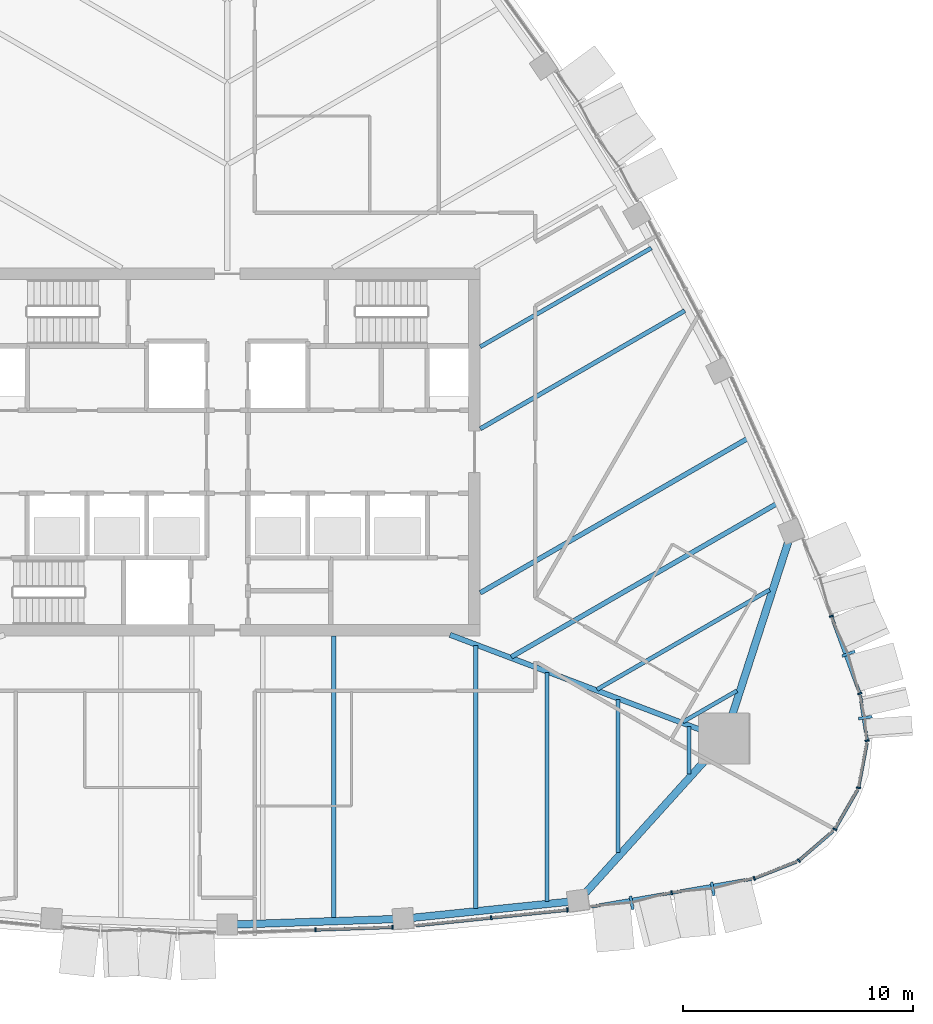
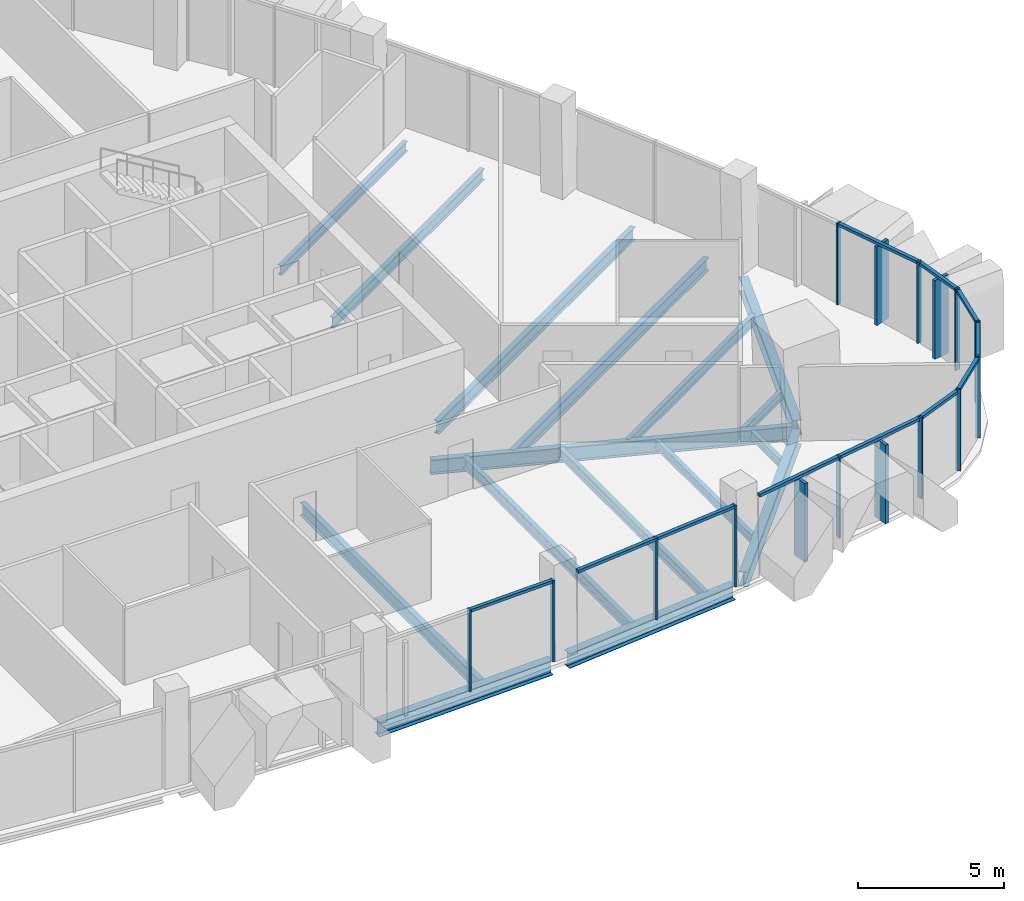
# One storey, part 4 of 18: 27 members, 16 beams, 9 elements without a shape of their own.
"""IFC4 building model written with IfcOpenShell, lengths in metres."""

from ifc_helpers import new_model, si_unit, direction, frame, origin, origin_2d, place, context, subcontext, project, spatial, rectangle, i_section, extrude, material, layer, layer_set, material_profile, profile_set, type_object, element, aggregate, save


model = new_model("IFC4")

# Units and contexts
model_context = context("Model", 3, precision=1e-05, world=origin(), true_north=direction((0.0, 1.0)))
body_context = subcontext(model_context, "Body", "Model", "MODEL_VIEW")
ifc_project = project(units=[si_unit("LENGTHUNIT", "METRE"), si_unit("AREAUNIT", "SQUARE_METRE"), si_unit("VOLUMEUNIT", "CUBIC_METRE"), si_unit("PLANEANGLEUNIT", "RADIAN"), si_unit("MASSUNIT", "GRAM", prefix="KILO")], contexts=[model_context])

# Site, building, storey
site_placement = place(None, origin())
site = spatial("IfcSite", under=ifc_project, at=site_placement, CompositionType="ELEMENT")
building_placement = place(site_placement, origin())
building = spatial("IfcBuilding", under=site, at=building_placement, Name="Sierra Prisma Convention Tower", CompositionType="ELEMENT")
storey_placement = place(building_placement, frame((0.0, 0.0, 255.0)))
storey = spatial("IfcBuildingStorey", under=building, at=storey_placement, Name="L57", CompositionType="ELEMENT", Elevation=255.0)

# Curtain wall, members
ifc_material_1 = material(Name="Aluminium and glass curtain wall", Category="aluminium")
ifc_layer_1 = layer(ifc_material_1, 0.179931640625)
ifc_layer_set_1 = layer_set([ifc_layer_1], Name="CW-2 Faceted crystal curtain wall")
curtain_wall_type_1 = type_object("IfcCurtainWallType", Name="CW-2 Faceted crystal curtain wall", PredefinedType="NOTDEFINED", material=ifc_layer_set_1)
curtain_wall_1_placement = place(storey_placement, origin())
curtain_wall_1 = element("IfcCurtainWall", 1, at=curtain_wall_1_placement, inside=storey, type_object=curtain_wall_type_1, Name="CW-2 S6 L57", PredefinedType="NOTDEFINED")
ifc_material_2 = material(Name="Aluminium 6063-T6 bronze anodised", Category="aluminium")
ifc_material_profile_1 = material_profile(ifc_material_2, rectangle(XDim=0.1201171875, YDim=0.60009765625, at=origin_2d()), Name="ALU RIDGE BLADE 120x600")
ifc_profile_set_1 = profile_set([ifc_material_profile_1], Name="Aluminium 6063-T6 bronze anodised")
member_type_1 = type_object("IfcMemberType", Name="CW hip bronze", PredefinedType="MULLION", material=ifc_profile_set_1)
member_1_placement = place(storey_placement, frame((17.58447265625, -19.617431640625, 0.0), z_axis=(0.0, 0.0, 1.0), x_axis=(0.985403487239, 0.170235035574, 0.0)))
member_1 = element("IfcMember", 2, at=member_1_placement, type_object=member_type_1, Name="CW-2 ridge S6.1", PredefinedType="MULLION", context=body_context, shape_type="SweptSolid", body=[
    extrude(rectangle(XDim=0.1201171875, YDim=0.60009765625, at=origin_2d()), origin(), (0.0, 0.0, 1.0), 3.280029296875),
])
member_2_placement = place(storey_placement, frame((21.11328125, -19.0078125, 0.0), z_axis=(0.0, 0.0, 1.0), x_axis=(0.985403487239, 0.170235035574, 0.0)))
member_2 = element("IfcMember", 3, at=member_2_placement, type_object=member_type_1, Name="CW-2 ridge S6.2", PredefinedType="MULLION", context=body_context, shape_type="SweptSolid", body=[
    extrude(rectangle(XDim=0.1201171875, YDim=0.60009765625, at=origin_2d()), origin(), (0.0, 0.0, 1.0), 3.280029296875),
])

# Curtain wall, member
curtain_wall_2_placement = place(storey_placement, origin())
curtain_wall_2 = element("IfcCurtainWall", 4, at=curtain_wall_2_placement, inside=storey, type_object=curtain_wall_type_1, Name="CW-2 SE5 L57", PredefinedType="NOTDEFINED")
member_3_placement = place(storey_placement, frame((27.74951171875, -11.55859375, 0.0), z_axis=(0.0, 0.0, 1.0), x_axis=(-0.149372686677, 0.988780966885, 0.0)))
member_3 = element("IfcMember", 5, at=member_3_placement, type_object=member_type_1, Name="CW-2 ridge SE5.1", PredefinedType="MULLION", context=body_context, shape_type="SweptSolid", body=[
    extrude(rectangle(XDim=0.1201171875, YDim=0.60009765625, at=origin_2d()), origin(), (0.0, 0.0, 1.0), 3.280029296875),
])

curtain_wall_3_placement = place(storey_placement, origin())
curtain_wall_3 = element("IfcCurtainWall", 6, at=curtain_wall_3_placement, inside=storey, type_object=curtain_wall_type_1, Name="CW-2 NE1 L57", PredefinedType="NOTDEFINED")
member_4_placement = place(storey_placement, frame((27.017822265625, -8.780517578125, 0.0), z_axis=(0.0, 0.0, 1.0), x_axis=(-0.345273878198, 0.938501970714, 0.0)))
member_4 = element("IfcMember", 7, at=member_4_placement, type_object=member_type_1, Name="CW-2 ridge NE1.1", PredefinedType="MULLION", context=body_context, shape_type="SweptSolid", body=[
    extrude(rectangle(XDim=0.1201171875, YDim=0.60009765625, at=origin_2d()), origin(), (0.0, 0.0, 1.0), 3.280029296875),
])

# Curtain wall, members
ifc_material_3 = material(Name="Aluminium and glass curtain wall", Category="aluminium")
ifc_layer_2 = layer(ifc_material_3, 0.179931640625)
ifc_layer_set_2 = layer_set([ifc_layer_2], Name="CW-1 Plain shaft curtain wall")
curtain_wall_type_2 = type_object("IfcCurtainWallType", Name="CW-1 Plain shaft curtain wall", PredefinedType="NOTDEFINED", material=ifc_layer_set_2)
curtain_wall_4_placement = place(storey_placement, origin())
curtain_wall_4 = element("IfcCurtainWall", 8, at=curtain_wall_4_placement, inside=storey, type_object=curtain_wall_type_2, Name="CW-1 S4 L57", PredefinedType="NOTDEFINED")
ifc_material_4 = material(Name="Aluminium 6063-T6 bronze anodised", Category="aluminium")
ifc_material_profile_2 = material_profile(ifc_material_4, rectangle(XDim=0.179931640625, YDim=0.070068359375, at=origin_2d()), Name="ALU MULLION 70x180")
ifc_profile_set_2 = profile_set([ifc_material_profile_2], Name="Aluminium 6063-T6 bronze anodised")
member_type_2 = type_object("IfcMemberType", Name="CW mullion bronze", PredefinedType="MULLION", material=ifc_profile_set_2)
member_5_placement = place(storey_placement, frame((3.83251953125, -20.787353515625, 0.0), z_axis=(0.0, 0.0, 1.0), x_axis=(-0.034206961734, 0.999414770638, 0.0)))
member_5 = element("IfcMember", 9, at=member_5_placement, type_object=member_type_2, Name="CW-1 mullion S4.2", PredefinedType="MULLION", context=body_context, shape_type="SweptSolid", body=[
    extrude(rectangle(XDim=0.179931640625, YDim=0.070068359375, at=origin_2d()), origin(), (0.0, 0.0, 1.0), 3.39990234375),
])
member_6_placement = place(storey_placement, frame((7.180419921875, -20.6728515625, 0.0), z_axis=(0.0, 0.0, 1.0), x_axis=(-0.034206961734, 0.999414770638, 0.0)))
member_6 = element("IfcMember", 10, at=member_6_placement, type_object=member_type_2, Name="CW-1 mullion S4.3", PredefinedType="MULLION", context=body_context, shape_type="SweptSolid", body=[
    extrude(rectangle(XDim=0.179931640625, YDim=0.070068359375, at=origin_2d()), origin(), (0.0, 0.0, 1.0), 3.39990234375),
])

curtain_wall_5_placement = place(storey_placement, origin())
curtain_wall_5 = element("IfcCurtainWall", 11, at=curtain_wall_5_placement, inside=storey, type_object=curtain_wall_type_2, Name="CW-1 S5 L57", PredefinedType="NOTDEFINED")
member_7_placement = place(storey_placement, frame((11.47607421875, -20.264404296875, 0.0), z_axis=(0.0, 0.0, 1.0), x_axis=(-0.102460780699, 0.994737044861, 0.0)))
member_7 = element("IfcMember", 12, at=member_7_placement, type_object=member_type_2, Name="CW-1 mullion S5.2", PredefinedType="MULLION", context=body_context, shape_type="SweptSolid", body=[
    extrude(rectangle(XDim=0.179931640625, YDim=0.070068359375, at=origin_2d()), origin(), (0.0, 0.0, 1.0), 3.39990234375),
])
member_8_placement = place(storey_placement, frame((14.79248046875, -19.9228515625, 0.0), z_axis=(0.0, 0.0, 1.0), x_axis=(-0.102460780699, 0.994737044861, 0.0)))
member_8 = element("IfcMember", 13, at=member_8_placement, type_object=member_type_2, Name="CW-1 mullion S5.3", PredefinedType="MULLION", context=body_context, shape_type="SweptSolid", body=[
    extrude(rectangle(XDim=0.179931640625, YDim=0.070068359375, at=origin_2d()), origin(), (0.0, 0.0, 1.0), 3.39990234375),
])

# Member
member_9_placement = place(storey_placement, frame((19.325439453125, -19.176513671875, 0.0), z_axis=(0.0, 0.0, 1.0), x_axis=(-0.170235035574, 0.985403487239, 0.0)))
member_9 = element("IfcMember", 14, at=member_9_placement, type_object=member_type_2, Name="CW-1 mullion S6.2", PredefinedType="MULLION", context=body_context, shape_type="SweptSolid", body=[
    extrude(rectangle(XDim=0.179931640625, YDim=0.070068359375, at=origin_2d()), origin(), (0.0, 0.0, 1.0), 3.39990234375),
])

# Curtain wall, member
curtain_wall_6_placement = place(storey_placement, origin())
curtain_wall_6 = element("IfcCurtainWall", 15, at=curtain_wall_6_placement, inside=storey, type_object=curtain_wall_type_2, Name="CW-1 SE1 L57", PredefinedType="NOTDEFINED")
member_10_placement = place(storey_placement, frame((22.921142578125, -18.548095703125, 0.0), z_axis=(0.0, 0.0, 1.0), x_axis=(-0.365029942148, 0.93099577944, 0.0)))
member_10 = element("IfcMember", 16, at=member_10_placement, type_object=member_type_2, Name="CW-1 mullion SE1.1", PredefinedType="MULLION", context=body_context, shape_type="SweptSolid", body=[
    extrude(rectangle(XDim=0.179931640625, YDim=0.070068359375, at=origin_2d()), origin(), (0.0, 0.0, 1.0), 3.39990234375),
])

curtain_wall_7_placement = place(storey_placement, origin())
curtain_wall_7 = element("IfcCurtainWall", 17, at=curtain_wall_7_placement, inside=storey, type_object=curtain_wall_type_2, Name="CW-1 SE2 L57", PredefinedType="NOTDEFINED")
member_11_placement = place(storey_placement, frame((24.85205078125, -17.77880859375, 0.0), z_axis=(0.0, 0.0, 1.0), x_axis=(-0.652160759829, 0.758080697115, 0.0)))
member_11 = element("IfcMember", 18, at=member_11_placement, type_object=member_type_2, Name="CW-1 mullion SE2.1", PredefinedType="MULLION", context=body_context, shape_type="SweptSolid", body=[
    extrude(rectangle(XDim=0.179931640625, YDim=0.070068359375, at=origin_2d()), origin(), (0.0, 0.0, 1.0), 3.39990234375),
])

curtain_wall_8_placement = place(storey_placement, origin())
curtain_wall_8 = element("IfcCurtainWall", 19, at=curtain_wall_8_placement, inside=storey, type_object=curtain_wall_type_2, Name="CW-1 SE3 L57", PredefinedType="NOTDEFINED")
member_12_placement = place(storey_placement, frame((26.420166015625, -16.414306640625, 0.0), z_axis=(0.0, 0.0, 1.0), x_axis=(-0.866025403784, 0.5, 0.0)))
member_12 = element("IfcMember", 20, at=member_12_placement, type_object=member_type_2, Name="CW-1 mullion SE3.1", PredefinedType="MULLION", context=body_context, shape_type="SweptSolid", body=[
    extrude(rectangle(XDim=0.179931640625, YDim=0.070068359375, at=origin_2d()), origin(), (0.0, 0.0, 1.0), 3.39990234375),
])

curtain_wall_9_placement = place(storey_placement, origin())
curtain_wall_9 = element("IfcCurtainWall", 21, at=curtain_wall_9_placement, inside=storey, type_object=curtain_wall_type_2, Name="CW-1 SE4 L57", PredefinedType="NOTDEFINED")
member_13_placement = place(storey_placement, frame((27.449462890625, -14.608642578125, 0.0), z_axis=(0.0, 0.0, 1.0), x_axis=(-0.982597521735, 0.185747436806, 0.0)))
member_13 = element("IfcMember", 22, at=member_13_placement, type_object=member_type_2, Name="CW-1 mullion SE4.1", PredefinedType="MULLION", context=body_context, shape_type="SweptSolid", body=[
    extrude(rectangle(XDim=0.179931640625, YDim=0.070068359375, at=origin_2d()), origin(), (0.0, 0.0, 1.0), 3.39990234375),
])

# Member
member_14_placement = place(storey_placement, frame((27.823974609375, -12.56396484375, 0.0), z_axis=(0.0, 0.0, 1.0), x_axis=(-0.988780966885, -0.149372686677, 0.0)))
member_14 = element("IfcMember", 23, at=member_14_placement, type_object=member_type_2, Name="CW-1 mullion SE5.1", PredefinedType="MULLION", context=body_context, shape_type="SweptSolid", body=[
    extrude(rectangle(XDim=0.179931640625, YDim=0.070068359375, at=origin_2d()), origin(), (0.0, 0.0, 1.0), 3.39990234375),
])

member_15_placement = place(storey_placement, frame((27.50634765625, -10.5087890625, 0.0), z_axis=(0.0, 0.0, 1.0), x_axis=(-0.938501970714, -0.345273878198, 0.0)))
member_15 = element("IfcMember", 24, at=member_15_placement, type_object=member_type_2, Name="CW-1 mullion NE1.1", PredefinedType="MULLION", context=body_context, shape_type="SweptSolid", body=[
    extrude(rectangle(XDim=0.179931640625, YDim=0.070068359375, at=origin_2d()), origin(), (0.0, 0.0, 1.0), 3.39990234375),
])

member_16_placement = place(storey_placement, frame((26.27001953125, -7.14794921875, 0.0), z_axis=(0.0, 0.0, 1.0), x_axis=(-0.938501970714, -0.345273878198, 0.0)))
member_16 = element("IfcMember", 25, at=member_16_placement, type_object=member_type_2, Name="CW-1 mullion NE1.2", PredefinedType="MULLION", context=body_context, shape_type="SweptSolid", body=[
    extrude(rectangle(XDim=0.179931640625, YDim=0.070068359375, at=origin_2d()), origin(), (0.0, 0.0, 1.0), 3.39990234375),
])

ifc_material_5 = material(Name="Aluminium 6063-T6 bronze anodised", Category="aluminium")
ifc_material_profile_3 = material_profile(ifc_material_5, rectangle(XDim=0.139892578125, YDim=0.1201171875, at=origin_2d()), Name="ALU TRANSOM 120x140")
ifc_profile_set_3 = profile_set([ifc_material_profile_3], Name="Aluminium 6063-T6 bronze anodised")
member_type_3 = type_object("IfcMemberType", Name="CW transom bronze", PredefinedType="USERDEFINED", material=ifc_profile_set_3)
member_17_placement = place(storey_placement, frame((3.867431640625, -20.7861328125, 3.340087890625), z_axis=(0.999416209582, 0.03416489463, 0.0), x_axis=(-0.03416489463, 0.999416209582, 0.0)))
member_17 = element("IfcMember", 26, at=member_17_placement, type_object=member_type_3, Name="CW-1 transom S4.2", ObjectType="TRANSOM", PredefinedType="USERDEFINED", context=body_context, shape_type="SweptSolid", body=[
    extrude(rectangle(XDim=0.139892578125, YDim=0.1201171875, at=origin_2d()), origin(), (0.0, 0.0, 1.0), 3.280029296875),
])

aggregate(curtain_wall_4, [member_5, member_6, member_17])

member_18_placement = place(storey_placement, frame((8.194580078125, -20.6025390625, 3.340087890625), z_axis=(0.994735789227, 0.102472970241, 0.0), x_axis=(-0.102472970241, 0.994735789227, 0.0)))
member_18 = element("IfcMember", 27, at=member_18_placement, type_object=member_type_3, Name="CW-1 transom S5.1", ObjectType="TRANSOM", PredefinedType="USERDEFINED", context=body_context, shape_type="SweptSolid", body=[
    extrude(rectangle(XDim=0.139892578125, YDim=0.1201171875, at=origin_2d()), origin(), (0.0, 0.0, 1.0), 3.263916015625),
])

member_19_placement = place(storey_placement, frame((11.510986328125, -20.260986328125, 3.340087890625), z_axis=(0.994735789227, 0.102472970241, 0.0), x_axis=(-0.102472970241, 0.994735789227, 0.0)))
member_19 = element("IfcMember", 28, at=member_19_placement, type_object=member_type_3, Name="CW-1 transom S5.2", ObjectType="TRANSOM", PredefinedType="USERDEFINED", context=body_context, shape_type="SweptSolid", body=[
    extrude(rectangle(XDim=0.139892578125, YDim=0.1201171875, at=origin_2d()), origin(), (0.0, 0.0, 1.0), 3.263916015625),
])

aggregate(curtain_wall_5, [member_7, member_8, member_18, member_19])

member_20_placement = place(storey_placement, frame((15.831298828125, -19.7802734375, 3.340087890625), z_axis=(0.985403045869, 0.170237590422, 0.0), x_axis=(-0.170237590422, 0.985403045869, 0.0)))
member_20 = element("IfcMember", 29, at=member_20_placement, type_object=member_type_3, Name="CW-1 transom S6.1", ObjectType="TRANSOM", PredefinedType="USERDEFINED", context=body_context, shape_type="SweptSolid", body=[
    extrude(rectangle(XDim=0.139892578125, YDim=0.1201171875, at=origin_2d()), origin(), (0.0, 0.0, 1.0), 3.5107421875),
])

member_21_placement = place(storey_placement, frame((19.35986328125, -19.170654296875, 3.340087890625), z_axis=(0.985405061032, 0.17022592544, 0.0), x_axis=(-0.17022592544, 0.985405061032, 0.0)))
member_21 = element("IfcMember", 30, at=member_21_placement, type_object=member_type_3, Name="CW-1 transom S6.2", ObjectType="TRANSOM", PredefinedType="USERDEFINED", context=body_context, shape_type="SweptSolid", body=[
    extrude(rectangle(XDim=0.139892578125, YDim=0.1201171875, at=origin_2d()), origin(), (0.0, 0.0, 1.0), 3.510986328125),
])

aggregate(curtain_wall_1, [member_9, member_20, member_1, member_21, member_2])

member_22_placement = place(storey_placement, frame((22.95361328125, -18.535400390625, 3.340087890625), z_axis=(0.931014277726, 0.364982759416, 0.0), x_axis=(-0.364982759416, 0.931014277726, 0.0)))
member_22 = element("IfcMember", 31, at=member_22_placement, type_object=member_type_3, Name="CW-1 transom SE1.1", ObjectType="TRANSOM", PredefinedType="USERDEFINED", context=body_context, shape_type="SweptSolid", body=[
    extrude(rectangle(XDim=0.139892578125, YDim=0.1201171875, at=origin_2d()), origin(), (0.0, 0.0, 1.0), 1.9404296875),
])

aggregate(curtain_wall_6, [member_10, member_22])

member_23_placement = place(storey_placement, frame((24.87841796875, -17.755859375, 3.340087890625), z_axis=(0.758145388545, 0.652085554071, 0.0), x_axis=(-0.652085554071, 0.758145388545, 0.0)))
member_23 = element("IfcMember", 32, at=member_23_placement, type_object=member_type_3, Name="CW-1 transom SE2.1", ObjectType="TRANSOM", PredefinedType="USERDEFINED", context=body_context, shape_type="SweptSolid", body=[
    extrude(rectangle(XDim=0.139892578125, YDim=0.1201171875, at=origin_2d()), origin(), (0.0, 0.0, 1.0), 1.9404296875),
])

aggregate(curtain_wall_7, [member_11, member_23])

member_24_placement = place(storey_placement, frame((26.4375, -16.384033203125, 3.340087890625), z_axis=(0.500103611961, 0.865965575126, 0.0), x_axis=(-0.865965575126, 0.500103611961, 0.0)))
member_24 = element("IfcMember", 33, at=member_24_placement, type_object=member_type_3, Name="CW-1 transom SE3.1", ObjectType="TRANSOM", PredefinedType="USERDEFINED", context=body_context, shape_type="SweptSolid", body=[
    extrude(rectangle(XDim=0.139892578125, YDim=0.1201171875, at=origin_2d()), origin(), (0.0, 0.0, 1.0), 1.9404296875),
])

aggregate(curtain_wall_8, [member_12, member_24])

member_25_placement = place(storey_placement, frame((27.455810546875, -14.57421875, 3.340087890625), z_axis=(0.185822728941, 0.982583285737, 0.0), x_axis=(-0.982583285737, 0.185822728941, 0.0)))
member_25 = element("IfcMember", 34, at=member_25_placement, type_object=member_type_3, Name="CW-1 transom SE4.1", ObjectType="TRANSOM", PredefinedType="USERDEFINED", context=body_context, shape_type="SweptSolid", body=[
    extrude(rectangle(XDim=0.139892578125, YDim=0.1201171875, at=origin_2d()), origin(), (0.0, 0.0, 1.0), 1.9404296875),
])

aggregate(curtain_wall_9, [member_13, member_25])

member_26_placement = place(storey_placement, frame((27.81884765625, -12.529541015625, 3.340087890625), z_axis=(-0.149343210677, 0.988785419302, 0.0), x_axis=(-0.988785419302, -0.149343210677, 0.0)))
member_26 = element("IfcMember", 35, at=member_26_placement, type_object=member_type_3, Name="CW-1 transom SE5.1", ObjectType="TRANSOM", PredefinedType="USERDEFINED", context=body_context, shape_type="SweptSolid", body=[
    extrude(rectangle(XDim=0.139892578125, YDim=0.1201171875, at=origin_2d()), origin(), (0.0, 0.0, 1.0), 1.9404296875),
])

aggregate(curtain_wall_2, [member_14, member_26, member_3])

member_27_placement = place(storey_placement, frame((27.494384765625, -10.475830078125, 3.340087890625), z_axis=(-0.345263829271, 0.938505667642, 0.0), x_axis=(-0.938505667642, -0.345263829271, 0.0)))
member_27 = element("IfcMember", 36, at=member_27_placement, type_object=member_type_3, Name="CW-1 transom NE1.1", ObjectType="TRANSOM", PredefinedType="USERDEFINED", context=body_context, shape_type="SweptSolid", body=[
    extrude(rectangle(XDim=0.139892578125, YDim=0.1201171875, at=origin_2d()), origin(), (0.0, 0.0, 1.0), 3.5107421875),
])

aggregate(curtain_wall_3, [member_15, member_16, member_27, member_4])

# Beams
ifc_material_6 = material(Name="Steel ASTM A992 Gr 50", Category="steel")
ifc_material_profile_4 = material_profile(ifc_material_6, i_section(OverallWidth=0.172119140625, OverallDepth=0.35791015625, WebThickness=0.0078125, FlangeThickness=0.01318359375, at=origin_2d()), Name="W360x57")
ifc_profile_set_4 = profile_set([ifc_material_profile_4], Name="Steel ASTM A992 Gr 50")
beam_type_1 = type_object("IfcBeamType", Name="Floor joist W360x57", PredefinedType="JOIST", material=ifc_profile_set_4)
beam_1_placement = place(storey_placement, frame((16.98974609375, -17.42529296875, -0.3291015625), z_axis=(0.0, 1.0, 0.0), x_axis=(-1.0, 0.0, 0.0)))
element("IfcBeam", 37, at=beam_1_placement, inside=storey, type_object=beam_type_1, Name="Floor joist L57 S13", PredefinedType="JOIST", context=body_context, shape_type="SweptSolid", body=[
    extrude(i_section(OverallWidth=0.172119140625, OverallDepth=0.35791015625, WebThickness=0.0078125, FlangeThickness=0.01318359375, at=origin_2d()), origin(), (0.0, 0.0, 1.0), 6.649169921875),
])
beam_2_placement = place(storey_placement, frame((20.07861328125, -14.0029296875, -0.3291015625), z_axis=(0.0, 1.0, 0.0), x_axis=(-1.0, 0.0, 0.0)))
element("IfcBeam", 38, at=beam_2_placement, inside=storey, type_object=beam_type_1, Name="Floor joist L57 S14", PredefinedType="JOIST", context=body_context, shape_type="SweptSolid", body=[
    extrude(i_section(OverallWidth=0.172119140625, OverallDepth=0.35791015625, WebThickness=0.0078125, FlangeThickness=0.01318359375, at=origin_2d()), origin(), (0.0, 0.0, 1.0), 2.055419921875),
])
beam_3_placement = place(storey_placement, frame((22.166259765625, -10.38720703125, -0.3291015625), z_axis=(-0.866042117264, -0.499971050288, 0.0), x_axis=(0.499971050288, -0.866042117264, 0.0)))
element("IfcBeam", 39, at=beam_3_placement, inside=storey, type_object=beam_type_1, Name="Floor joist L57 NE01", PredefinedType="JOIST", context=body_context, shape_type="SweptSolid", body=[
    extrude(i_section(OverallWidth=0.172119140625, OverallDepth=0.35791015625, WebThickness=0.0078125, FlangeThickness=0.01318359375, at=origin_2d()), origin(), (0.0, 0.0, 1.0), 2.720458984375),
])
ifc_material_7 = material(Name="Steel ASTM A992 Gr 50", Category="steel")
ifc_material_profile_5 = material_profile(ifc_material_7, i_section(OverallWidth=0.177978515625, OverallDepth=0.406982421875, WebThickness=0.0078125, FlangeThickness=0.0126953125, at=origin_2d()), Name="W410x60")
ifc_profile_set_5 = profile_set([ifc_material_profile_5], Name="Steel ASTM A992 Gr 50")
beam_type_2 = type_object("IfcBeamType", Name="Floor joist W410x60", PredefinedType="JOIST", material=ifc_profile_set_5)
beam_4_placement = place(storey_placement, frame((13.900634765625, -19.5498046875, -0.353515625), z_axis=(0.0, 1.0, 0.0), x_axis=(-1.0, 0.0, 0.0)))
element("IfcBeam", 40, at=beam_4_placement, inside=storey, type_object=beam_type_2, Name="Floor joist L57 S12", PredefinedType="JOIST", context=body_context, shape_type="SweptSolid", body=[
    extrude(i_section(OverallWidth=0.177978515625, OverallDepth=0.406982421875, WebThickness=0.0078125, FlangeThickness=0.0126953125, at=origin_2d()), origin(), (0.0, 0.0, 1.0), 9.9453125),
])
beam_5_placement = place(storey_placement, frame((23.58544921875, -6.0009765625, -0.353515625), z_axis=(-0.866030746125, -0.499990746681, 0.0), x_axis=(0.499990746681, -0.866030746125, 0.0)))
element("IfcBeam", 41, at=beam_5_placement, inside=storey, type_object=beam_type_2, Name="Floor joist L57 NE02", PredefinedType="JOIST", context=body_context, shape_type="SweptSolid", body=[
    extrude(i_section(OverallWidth=0.177978515625, OverallDepth=0.406982421875, WebThickness=0.0078125, FlangeThickness=0.0126953125, at=origin_2d()), origin(), (0.0, 0.0, 1.0), 8.664794921875),
])
beam_6_placement = place(storey_placement, frame((18.44189453125, 8.864013671875, -0.353515625), z_axis=(-0.866022831428, -0.500004455426, 0.0), x_axis=(0.500004455426, -0.866022831428, 0.0)))
element("IfcBeam", 42, at=beam_6_placement, inside=storey, type_object=beam_type_2, Name="Floor joist L57 NE07", PredefinedType="JOIST", context=body_context, shape_type="SweptSolid", body=[
    extrude(i_section(OverallWidth=0.177978515625, OverallDepth=0.406982421875, WebThickness=0.0078125, FlangeThickness=0.0126953125, at=origin_2d()), origin(), (0.0, 0.0, 1.0), 8.59326171875),
])
ifc_material_8 = material(Name="Steel ASTM A992 Gr 50", Category="steel")
ifc_material_profile_6 = material_profile(ifc_material_8, i_section(OverallWidth=0.18994140625, OverallDepth=0.45703125, WebThickness=0.009033203125, FlangeThickness=0.014404296875, at=origin_2d()), Name="W460x74")
ifc_profile_set_6 = profile_set([ifc_material_profile_6], Name="Steel ASTM A992 Gr 50")
beam_type_3 = type_object("IfcBeamType", Name="Floor joist W460x74", PredefinedType="JOIST", material=ifc_profile_set_6)
beam_7_placement = place(storey_placement, frame((10.8115234375, -19.867919921875, -0.37841796875), z_axis=(0.0, 1.0, 0.0), x_axis=(-1.0, 0.0, 0.0)))
element("IfcBeam", 43, at=beam_7_placement, inside=storey, type_object=beam_type_3, Name="Floor joist L57 S11", PredefinedType="JOIST", context=body_context, shape_type="SweptSolid", body=[
    extrude(i_section(OverallWidth=0.18994140625, OverallDepth=0.45703125, WebThickness=0.009033203125, FlangeThickness=0.014404296875, at=origin_2d()), origin(), (0.0, 0.0, 1.0), 11.43505859375),
])
beam_8_placement = place(storey_placement, frame((19.894775390625, 6.135986328125, -0.37841796875), z_axis=(-0.866021310892, -0.50000708903, 0.0), x_axis=(0.50000708903, -0.866021310892, 0.0)))
element("IfcBeam", 44, at=beam_8_placement, inside=storey, type_object=beam_type_3, Name="Floor joist L57 NE06", PredefinedType="JOIST", context=body_context, shape_type="SweptSolid", body=[
    extrude(i_section(OverallWidth=0.18994140625, OverallDepth=0.45703125, WebThickness=0.009033203125, FlangeThickness=0.014404296875, at=origin_2d()), origin(), (0.0, 0.0, 1.0), 10.270751953125),
])
ifc_material_9 = material(Name="Steel ASTM A992 Gr 50", Category="steel")
ifc_material_profile_7 = material_profile(ifc_material_9, i_section(OverallWidth=0.208984375, OverallDepth=0.532958984375, WebThickness=0.01025390625, FlangeThickness=0.015625, at=origin_2d()), Name="W530x92")
ifc_profile_set_7 = profile_set([ifc_material_profile_7], Name="Steel ASTM A992 Gr 50")
beam_type_4 = type_object("IfcBeamType", Name="Floor joist W530x92", PredefinedType="JOIST", material=ifc_profile_set_7)
beam_9_placement = place(storey_placement, frame((4.633544921875, -20.29736328125, -0.41650390625), z_axis=(0.0, 1.0, 0.0), x_axis=(-1.0, 0.0, 0.0)))
element("IfcBeam", 45, at=beam_9_placement, inside=storey, type_object=beam_type_4, Name="Floor joist L57 S09", PredefinedType="JOIST", context=body_context, shape_type="SweptSolid", body=[
    extrude(i_section(OverallWidth=0.208984375, OverallDepth=0.532958984375, WebThickness=0.01025390625, FlangeThickness=0.015625, at=origin_2d()), origin(), (0.0, 0.0, 1.0), 12.29736328125),
])
beam_10_placement = place(storey_placement, frame((23.880859375, -2.263427734375, -0.41650390625), z_axis=(-0.866020043079, -0.5000092849, 0.0), x_axis=(0.5000092849, -0.866020043079, 0.0)))
element("IfcBeam", 46, at=beam_10_placement, inside=storey, type_object=beam_type_4, Name="Floor joist L57 NE03", PredefinedType="JOIST", context=body_context, shape_type="SweptSolid", body=[
    extrude(i_section(OverallWidth=0.208984375, OverallDepth=0.532958984375, WebThickness=0.01025390625, FlangeThickness=0.015625, at=origin_2d()), origin(), (0.0, 0.0, 1.0), 13.311279296875),
])
beam_11_placement = place(storey_placement, frame((22.612060546875, 0.57080078125, -0.41650390625), z_axis=(-0.866029431487, -0.49999302375, 0.0), x_axis=(0.49999302375, -0.866029431487, 0.0)))
element("IfcBeam", 47, at=beam_11_placement, inside=storey, type_object=beam_type_4, Name="Floor joist L57 NE04", PredefinedType="JOIST", context=body_context, shape_type="SweptSolid", body=[
    extrude(i_section(OverallWidth=0.208984375, OverallDepth=0.532958984375, WebThickness=0.01025390625, FlangeThickness=0.015625, at=origin_2d()), origin(), (0.0, 0.0, 1.0), 13.408447265625),
])
ifc_material_10 = material(Name="Steel ASTM A992 Gr 50", Category="steel")
ifc_material_profile_8 = material_profile(ifc_material_10, i_section(OverallWidth=0.22998046875, OverallDepth=0.616943359375, WebThickness=0.01318359375, FlangeThickness=0.022216796875, at=origin_2d()), Name="W610x140")
ifc_profile_set_8 = profile_set([ifc_material_profile_8], Name="Steel ASTM A992 Gr 50")
beam_type_5 = type_object("IfcBeamType", Name="Radial girder W610x140", PredefinedType="BEAM", material=ifc_profile_set_8)
beam_12_placement = place(storey_placement, frame((21.4033203125, -12.400634765625, -0.45849609375), z_axis=(-0.935016685673, 0.354603718977, 0.0), x_axis=(-0.354603718977, -0.935016685673, 0.0)))
element("IfcBeam", 48, at=beam_12_placement, inside=storey, type_object=beam_type_5, Name="Radial girder L57 SE", PredefinedType="BEAM", context=body_context, shape_type="SweptSolid", body=[
    extrude(i_section(OverallWidth=0.22998046875, OverallDepth=0.616943359375, WebThickness=0.01318359375, FlangeThickness=0.022216796875, at=origin_2d()), origin(), (0.0, 0.0, 1.0), 12.52978515625),
])
ifc_material_11 = material(Name="Steel ASTM A992 Gr 50", Category="steel")
ifc_material_profile_9 = material_profile(ifc_material_11, i_section(OverallWidth=0.324951171875, OverallDepth=0.615966796875, WebThickness=0.013916015625, FlangeThickness=0.021484375, at=origin_2d()), Name="W610x174")
ifc_profile_set_9 = profile_set([ifc_material_profile_9], Name="Steel ASTM A992 Gr 50")
beam_type_6 = type_object("IfcBeamType", Name="Spandrel beam W610x174", PredefinedType="BEAM", material=ifc_profile_set_9)
for number, where, z_axis, x_axis, name in (
    (49, (0.330078125, -20.557373046875, -0.4580078125), (0.999414052308, 0.034227942512, 0.0), (-0.034227942512, 0.999414052308, 0.0), "Spandrel L57-04"),
    (50, (7.98193359375, -20.272705078125, -0.4580078125), (0.994739221401, 0.102439647634, 0.0), (-0.102439647634, 0.994739221401, 0.0), "Spandrel L57-05"),
):
    element("IfcBeam", number, at=place(storey_placement, frame(where, z_axis=z_axis, x_axis=x_axis)), inside=storey, type_object=beam_type_6, Name=name, PredefinedType="BEAM", context=body_context, shape_type="SweptSolid", body=[
        extrude(i_section(OverallWidth=0.324951171875, OverallDepth=0.615966796875, WebThickness=0.013916015625, FlangeThickness=0.021484375, at=origin_2d()), origin(), (0.0, 0.0, 1.0), 6.997314453125),
    ])
beam_13_placement = place(storey_placement, frame((15.584716796875, -19.17431640625, -0.4580078125), z_axis=(0.670019493612, 0.742343504168, 0.0), x_axis=(-0.742343504168, 0.670019493612, 0.0)))
element("IfcBeam", 51, at=beam_13_placement, inside=storey, type_object=beam_type_6, Name="Spandrel L57-06", PredefinedType="BEAM", context=body_context, shape_type="SweptSolid", body=[
    extrude(i_section(OverallWidth=0.324951171875, OverallDepth=0.615966796875, WebThickness=0.013916015625, FlangeThickness=0.021484375, at=origin_2d()), origin(), (0.0, 0.0, 1.0), 8.7158203125),
])
beam_14_placement = place(storey_placement, frame((21.6943359375, -12.26416015625, -0.4580078125), z_axis=(0.307891348977, 0.95142152447, 0.0), x_axis=(-0.95142152447, 0.307891348977, 0.0)))
element("IfcBeam", 52, at=beam_14_placement, inside=storey, type_object=beam_type_6, Name="Spandrel L57-07", PredefinedType="BEAM", context=body_context, shape_type="SweptSolid", body=[
    extrude(i_section(OverallWidth=0.324951171875, OverallDepth=0.615966796875, WebThickness=0.013916015625, FlangeThickness=0.021484375, at=origin_2d()), origin(), (0.0, 0.0, 1.0), 8.781005859375),
])

save(model, "model.ifc")
